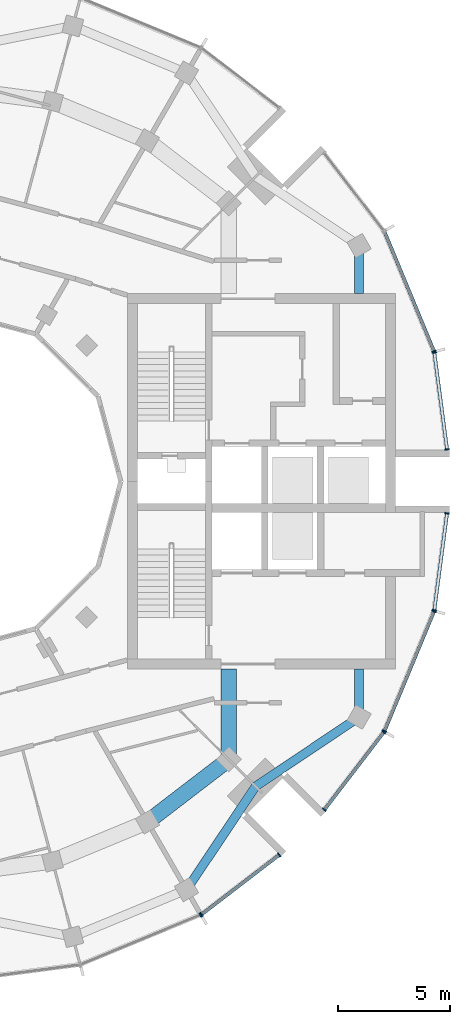
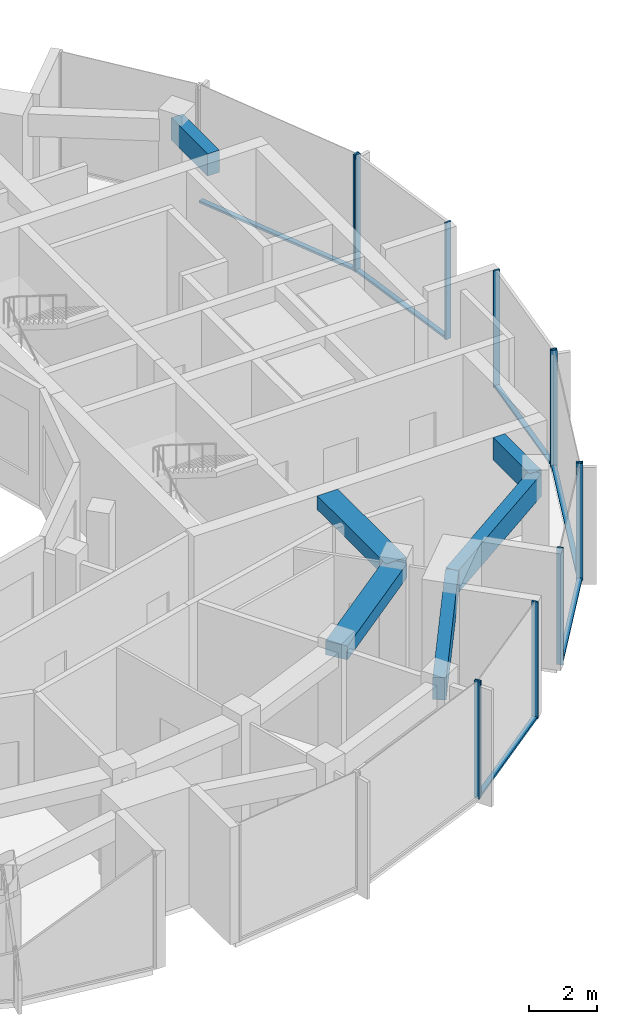
# One storey, part 4 of 14: 18 members, 6 beams, 7 elements without a shape of their own.
"""IFC4 building model written with IfcOpenShell, lengths in metres."""

import ifcopenshell
import ifcopenshell.guid

model = None  # the IFC model being written
_history = None  # IfcOwnerHistory: only IFC2X3 demands one
_inside = {}  # id of a spatial element -> (the spatial element, [elements in it])
_under = {}  # id of a project, library or spatial element -> (it, [spatial elements below it])
_declared = {}  # id of a project -> (the project, [libraries it declares])
_typed = {}  # id of a type object -> (the type object, [elements of that type])
_made_of = {}  # id of a material, layer set ... -> (it, [elements and type objects made of it])


def new_model(schema):
    """Start an empty IFC model of exactly this schema.

    Asked for "IFC4X3", IfcOpenShell would pick the latest addendum, in which some entities
    have other attributes; the version numbers below select the first issue.
    IFC2X3 requires an IfcOwnerHistory on every rooted entity: one is made here for all.
    """
    global model, _history
    if schema == "IFC4X3":
        model = ifcopenshell.file(schema_version=(4, 3, 0, 0))
    else:
        model = ifcopenshell.file(schema=schema)
    _inside.clear()
    _under.clear()
    _declared.clear()
    _typed.clear()
    _made_of.clear()
    _history = None
    if model.schema == "IFC2X3":
        org = make("IfcOrganization", Name="unknown")
        user = make(
            "IfcPersonAndOrganization",
            ThePerson=make("IfcPerson", FamilyName="unknown"),
            TheOrganization=org,
        )
        app = make(
            "IfcApplication",
            ApplicationDeveloper=org,
            Version="unknown",
            ApplicationFullName="unknown",
            ApplicationIdentifier="unknown",
        )
        _history = make(
            "IfcOwnerHistory",
            OwningUser=user,
            OwningApplication=app,
            ChangeAction="ADDED",
            CreationDate=0,
        )
    return model


def make(cls, **values):
    """One entity of the class cls with the attributes given. An attribute that is None is left unset."""
    return model.create_entity(
        cls, **{name: value for name, value in values.items() if value is not None}
    )


def rooted(cls, **values):
    """An entity with a GlobalId (a new one), such as an element, a storey or a relation."""
    return make(cls, GlobalId=ifcopenshell.guid.new(), OwnerHistory=_history, **values)


def si_unit(unit_type, name, prefix=None):
    """IfcSIUnit, for example si_unit("LENGTHUNIT", "METRE", prefix="MILLI")."""
    return make("IfcSIUnit", UnitType=unit_type, Prefix=prefix, Name=name)


def assignment(units):
    """IfcUnitAssignment: the units of a project."""
    return None if units is None else make("IfcUnitAssignment", Units=units)


def point(xyz):
    """IfcCartesianPoint."""
    return None if xyz is None else make("IfcCartesianPoint", Coordinates=xyz)


def direction(xyz):
    """IfcDirection."""
    return None if xyz is None else make("IfcDirection", DirectionRatios=xyz)


def frame(location, z_axis=None, x_axis=None):
    """IfcAxis2Placement3D, a coordinate frame: its origin and axes. An axis left out is left unset."""
    return make(
        "IfcAxis2Placement3D",
        Location=point(location),
        Axis=direction(z_axis),
        RefDirection=direction(x_axis),
    )


def frame_2d(location, x_axis=None):
    """IfcAxis2Placement2D, a coordinate frame in the plane: its origin and x axis."""
    return make(
        "IfcAxis2Placement2D", Location=point(location), RefDirection=direction(x_axis)
    )


def origin():
    """The frame at (0, 0, 0) with its axes left unset."""
    return frame((0.0, 0.0, 0.0))


def origin_2d():
    """The frame at (0, 0) in the plane with its x axis left unset."""
    return frame_2d((0.0, 0.0))


def place(relative_to, where):
    """IfcLocalPlacement: puts the frame where relative to a parent placement (None: the world)."""
    return make(
        "IfcLocalPlacement", PlacementRelTo=relative_to, RelativePlacement=where
    )


def context(
    kind, dimensions, precision=None, world=None, true_north=None, identifier=None
):
    """IfcGeometricRepresentationContext, for example the 3D "Model" context."""
    return make(
        "IfcGeometricRepresentationContext",
        ContextIdentifier=identifier,
        ContextType=kind,
        CoordinateSpaceDimension=dimensions,
        Precision=precision,
        WorldCoordinateSystem=world,
        TrueNorth=true_north,
    )


def subcontext(parent, identifier, kind, view, scale=None):
    """IfcGeometricRepresentationSubContext, for example "Body" below "Model"."""
    return make(
        "IfcGeometricRepresentationSubContext",
        ContextIdentifier=identifier,
        ContextType=kind,
        ParentContext=parent,
        TargetScale=scale,
        TargetView=view,
    )


def project(units=None, contexts=None):
    """IfcProject with its units and contexts."""
    return rooted(
        "IfcProject",
        Name="project",
        RepresentationContexts=contexts,
        UnitsInContext=assignment(units),
    )


def spatial(cls, under=None, at=None, **own):
    """A site, building, storey or space (cls), placed at a placement, below another one or the project."""
    s = rooted(cls, ObjectPlacement=at, **own)
    if under is not None:
        _under.setdefault(under.id(), (under, []))[1].append(s)
    return s


def profile(cls, at=None, kind="AREA", **sizes):
    """A parametric profile (cls). Its sizes go by their IFC names, for example OverallWidth=200.0."""
    return make(cls, ProfileType=kind, Position=at, **sizes)


def rectangle(**sizes):
    """IfcRectangleProfileDef."""
    return profile("IfcRectangleProfileDef", **sizes)


def extrude(swept, where, along, depth):
    """IfcExtrudedAreaSolid: the profile swept, set in the frame where, extruded along a direction by depth."""
    return make(
        "IfcExtrudedAreaSolid",
        SweptArea=swept,
        Position=where,
        ExtrudedDirection=direction(along),
        Depth=depth,
    )


def shape(context_of_items, identifier, shape_type, items):
    """IfcShapeRepresentation: the items that make up one representation, for example the "Body"."""
    return make(
        "IfcShapeRepresentation",
        ContextOfItems=context_of_items,
        RepresentationIdentifier=identifier,
        RepresentationType=shape_type,
        Items=items,
    )


def material(Name=None, Category=None):
    """IfcMaterial."""
    return make("IfcMaterial", Name=Name, Category=Category)


def layer(
    of_material, thickness, ventilated=None, Name=None, Category=None, Priority=None
):
    """IfcMaterialLayer: one layer of a wall or slab, of a material (None: an air gap)."""
    return make(
        "IfcMaterialLayer",
        Material=of_material,
        LayerThickness=thickness,
        IsVentilated=ventilated,
        Name=Name,
        Category=Category,
        Priority=Priority,
    )


def layer_set(layers, Name=None):
    """IfcMaterialLayerSet."""
    return make("IfcMaterialLayerSet", MaterialLayers=layers, LayerSetName=Name)


def material_profile(
    of_material, cross_section, Name=None, Category=None, Priority=None
):
    """IfcMaterialProfile: a cross section and its material."""
    return make(
        "IfcMaterialProfile",
        Name=Name,
        Material=of_material,
        Profile=cross_section,
        Priority=Priority,
        Category=Category,
    )


def profile_set(profiles, Name=None, composite=None):
    """IfcMaterialProfileSet."""
    return make(
        "IfcMaterialProfileSet",
        Name=Name,
        MaterialProfiles=profiles,
        CompositeProfile=composite,
    )


def made_of(thing, what):
    """Note that an element or type object is made of a material, layer set ...; save() writes the relation."""
    if what is not None:
        _made_of.setdefault(what.id(), (what, []))[1].append(thing)
    return thing


def type_object(cls, material=None, **own):
    """A type object (cls), such as IfcWallType, which elements share."""
    return made_of(rooted(cls, **own), material)


def element(
    cls,
    number,
    at=None,
    inside=None,
    cuts=None,
    type_object=None,
    material=None,
    context=None,
    identifier="Body",
    shape_type=None,
    held_by="IfcProductDefinitionShape",
    body=None,
    shapes=None,
    **own,
):
    """One element of the class cls, such as IfcWall. Its Tag is "e" and its number.

    at: its placement. inside: the storey or other place that contains it. cuts: it is an
    opening in that element (IfcRelVoidsElement). A single representation is given by context,
    identifier, shape_type and body (its items); several are given by shapes. held_by: the class
    of the entity that holds the representations. save() writes the other relations.
    """
    e = rooted(cls, Tag="e%d" % number, ObjectPlacement=at, **own)
    if body is not None:
        shapes = [shape(context, identifier, shape_type, body)]
    if shapes is not None:
        e.Representation = make(held_by, Representations=shapes)
    if inside is not None:
        _inside.setdefault(inside.id(), (inside, []))[1].append(e)
    if cuts is not None:
        rooted(
            "IfcRelVoidsElement", RelatingBuildingElement=cuts, RelatedOpeningElement=e
        )
    if type_object is not None:
        _typed.setdefault(type_object.id(), (type_object, []))[1].append(e)
    return made_of(e, material)


def aggregate(whole, parts):
    """IfcRelAggregates: a whole, such as a stair, and the parts it consists of."""
    return rooted("IfcRelAggregates", RelatingObject=whole, RelatedObjects=parts)


def save(model, path):
    """Write the relations noted so far, then the file.

    IfcRelAggregates (storeys below a building ...), IfcRelContainedInSpatialStructure (elements
    in a storey), IfcRelDefinesByType, IfcRelAssociatesMaterial and IfcRelDeclares: one each for
    every whole, place, type object, material and project.
    """
    for whole, parts in _under.values():
        aggregate(whole, parts)
    for where, things in _inside.values():
        rooted(
            "IfcRelContainedInSpatialStructure",
            RelatedElements=things,
            RelatingStructure=where,
        )
    for kind, things in _typed.values():
        rooted("IfcRelDefinesByType", RelatedObjects=things, RelatingType=kind)
    for what, things in _made_of.values():
        rooted("IfcRelAssociatesMaterial", RelatedObjects=things, RelatingMaterial=what)
    for by, libraries in _declared.values():
        rooted("IfcRelDeclares", RelatingContext=by, RelatedDefinitions=libraries)
    model.write(path)


model = new_model("IFC4")

# Units and contexts
model_context = context("Model", 3, precision=1e-05, world=origin(), true_north=direction((0.0, 1.0)))
body_context = subcontext(model_context, "Body", "Model", "MODEL_VIEW")
ifc_project = project(units=[si_unit("LENGTHUNIT", "METRE"), si_unit("AREAUNIT", "SQUARE_METRE"), si_unit("VOLUMEUNIT", "CUBIC_METRE"), si_unit("PLANEANGLEUNIT", "RADIAN"), si_unit("MASSUNIT", "GRAM", prefix="KILO")], contexts=[model_context])

# Site, building, storey
site_placement = place(None, origin())
site = spatial("IfcSite", under=ifc_project, at=site_placement, CompositionType="ELEMENT")
building_placement = place(site_placement, origin())
building = spatial("IfcBuilding", under=site, at=building_placement, Name="Torre Brocal", CompositionType="ELEMENT")
storey_placement = place(building_placement, frame((0.0, 0.0, 305.10009765625)))
storey = spatial("IfcBuildingStorey", under=building, at=storey_placement, Name="L70", CompositionType="ELEMENT", Elevation=305.10009765625)

# Curtain wall, member
ifc_material_1 = material(Name="Aluminium and glass", Category="aluminium")
ifc_layer_1 = layer(ifc_material_1, 0.199951171875)
ifc_layer_set_1 = layer_set([ifc_layer_1], Name="Aluminium and glass")
curtain_wall_type_1 = type_object("IfcCurtainWallType", Name="CW-1 CURTAIN WALL 4200 HIGH", PredefinedType="NOTDEFINED", material=ifc_layer_set_1)
curtain_wall_1_placement = place(storey_placement, origin())
curtain_wall_1 = element("IfcCurtainWall", 1, at=curtain_wall_1_placement, inside=storey, type_object=curtain_wall_type_1, Name="CW-1 RUN 2", PredefinedType="NOTDEFINED")
ifc_material_2 = material(Name="Aluminium, dark anodised", Category="aluminium")
ifc_material_profile_1 = material_profile(ifc_material_2, rectangle(XDim=0.199951171875, YDim=0.06005859375, at=origin_2d()), Name="CW-1 MULLION 60X200")
ifc_profile_set_1 = profile_set([ifc_material_profile_1], Name="Aluminium, dark anodised")
member_type_1 = type_object("IfcMemberType", Name="CW-1 MULLION 60X200", PredefinedType="MULLION", material=ifc_profile_set_1)
member_1_placement = place(storey_placement, frame((101.62451171875, 80.824951171875, 0.0), z_axis=(0.0, 0.0, 1.0), x_axis=(-0.923879532545, -0.382683432284, 0.0)))
member_1 = element("IfcMember", 2, at=member_1_placement, type_object=member_type_1, Name="CW1-5 mullion 1", PredefinedType="MULLION", context=body_context, shape_type="SweptSolid", body=[
    extrude(rectangle(XDim=0.199951171875, YDim=0.06005859375, at=origin_2d()), origin(), (0.0, 0.0, 1.0), 4.199951171875),
])

curtain_wall_2_placement = place(storey_placement, origin())
curtain_wall_2 = element("IfcCurtainWall", 3, at=curtain_wall_2_placement, inside=storey, type_object=curtain_wall_type_1, Name="CW-1 RUN 20", PredefinedType="NOTDEFINED")
member_2_placement = place(storey_placement, frame((91.171875, 55.59033203125, 0.0), z_axis=(0.0, 0.0, 1.0), x_axis=(-0.382683432284, 0.923879532545, 0.0)))
member_2 = element("IfcMember", 4, at=member_2_placement, type_object=member_type_1, Name="CW1-5 mullion 2", PredefinedType="MULLION", context=body_context, shape_type="SweptSolid", body=[
    extrude(rectangle(XDim=0.199951171875, YDim=0.06005859375, at=origin_2d()), origin(), (0.0, 0.0, 1.0), 4.199951171875),
])
aggregate(curtain_wall_2, [member_2])

# Curtain wall, members
curtain_wall_3_placement = place(storey_placement, origin())
curtain_wall_3 = element("IfcCurtainWall", 5, at=curtain_wall_3_placement, inside=storey, type_object=curtain_wall_type_1, Name="CW-1 RUN 21", PredefinedType="NOTDEFINED")
member_3_placement = place(storey_placement, frame((91.223388671875, 55.6201171875, 0.0), z_axis=(0.0, 0.0, 1.0), x_axis=(-0.608761429064, 0.793353340249, 0.0)))
member_3 = element("IfcMember", 6, at=member_3_placement, type_object=member_type_1, Name="CW1-5 mullion 1", PredefinedType="MULLION", context=body_context, shape_type="SweptSolid", body=[
    extrude(rectangle(XDim=0.199951171875, YDim=0.06005859375, at=origin_2d()), origin(), (0.0, 0.0, 1.0), 4.199951171875),
])
member_4_placement = place(storey_placement, frame((94.694580078125, 58.283447265625, 0.0), z_axis=(0.0, 0.0, 1.0), x_axis=(-0.608761429064, 0.793353340249, 0.0)))
member_4 = element("IfcMember", 7, at=member_4_placement, type_object=member_type_1, Name="CW1-5 mullion 2", PredefinedType="MULLION", context=body_context, shape_type="SweptSolid", body=[
    extrude(rectangle(XDim=0.199951171875, YDim=0.06005859375, at=origin_2d()), origin(), (0.0, 0.0, 1.0), 4.199951171875),
])

curtain_wall_4_placement = place(storey_placement, origin())
curtain_wall_4 = element("IfcCurtainWall", 8, at=curtain_wall_4_placement, inside=storey, type_object=curtain_wall_type_1, Name="CW-1 RUN 22", PredefinedType="NOTDEFINED")
member_5_placement = place(storey_placement, frame((96.716552734375, 60.305419921875, 0.0), z_axis=(0.0, 0.0, 1.0), x_axis=(-0.793353340249, 0.608761429064, 0.0)))
member_5 = element("IfcMember", 9, at=member_5_placement, type_object=member_type_1, Name="CW1-5 mullion 1", PredefinedType="MULLION", context=body_context, shape_type="SweptSolid", body=[
    extrude(rectangle(XDim=0.199951171875, YDim=0.06005859375, at=origin_2d()), origin(), (0.0, 0.0, 1.0), 4.199951171875),
])
member_6_placement = place(storey_placement, frame((99.3798828125, 63.776611328125, 0.0), z_axis=(0.0, 0.0, 1.0), x_axis=(-0.793353340249, 0.608761429064, 0.0)))
member_6 = element("IfcMember", 10, at=member_6_placement, type_object=member_type_1, Name="CW1-5 mullion 2", PredefinedType="MULLION", context=body_context, shape_type="SweptSolid", body=[
    extrude(rectangle(XDim=0.199951171875, YDim=0.06005859375, at=origin_2d()), origin(), (0.0, 0.0, 1.0), 4.199951171875),
])

curtain_wall_5_placement = place(storey_placement, origin())
curtain_wall_5 = element("IfcCurtainWall", 11, at=curtain_wall_5_placement, inside=storey, type_object=curtain_wall_type_1, Name="CW-1 RUN 23", PredefinedType="NOTDEFINED")
member_7_placement = place(storey_placement, frame((99.40966796875, 63.828125, 0.0), z_axis=(0.0, 0.0, 1.0), x_axis=(-0.923879532545, 0.382683432284, 0.0)))
member_7 = element("IfcMember", 12, at=member_7_placement, type_object=member_type_1, Name="CW1-5 mullion 1", PredefinedType="MULLION", context=body_context, shape_type="SweptSolid", body=[
    extrude(rectangle(XDim=0.199951171875, YDim=0.06005859375, at=origin_2d()), origin(), (0.0, 0.0, 1.0), 4.199951171875),
])
member_8_placement = place(storey_placement, frame((101.62451171875, 69.175048828125, 0.0), z_axis=(0.0, 0.0, 1.0), x_axis=(-0.923879532545, 0.382683432284, 0.0)))
member_8 = element("IfcMember", 13, at=member_8_placement, type_object=member_type_1, Name="CW1-5 mullion 2", PredefinedType="MULLION", context=body_context, shape_type="SweptSolid", body=[
    extrude(rectangle(XDim=0.199951171875, YDim=0.06005859375, at=origin_2d()), origin(), (0.0, 0.0, 1.0), 4.199951171875),
])

# Member
ifc_material_3 = material(Name="Aluminium, dark anodised", Category="aluminium")
ifc_material_profile_2 = material_profile(ifc_material_3, rectangle(XDim=0.159912109375, YDim=0.080078125, at=origin_2d()), Name="CW-1 TRANSOM 160X80")
ifc_profile_set_2 = profile_set([ifc_material_profile_2], Name="Aluminium, dark anodised")
member_type_2 = type_object("IfcMemberType", Name="CW-1 TRANSOM 160X80", PredefinedType="USERDEFINED", material=ifc_profile_set_2)
member_9_placement = place(storey_placement, frame((101.613037109375, 80.852783203125, 0.039794921875), z_axis=(-0.382710701355, 0.923868236854, 0.0), x_axis=(-0.923868236854, -0.382710701355, 0.0)))
member_9 = element("IfcMember", 14, at=member_9_placement, type_object=member_type_2, Name="CW1-5 transom 1.1", ObjectType="TRANSOM", PredefinedType="USERDEFINED", context=body_context, shape_type="SweptSolid", body=[
    extrude(rectangle(XDim=0.159912109375, YDim=0.080078125, at=origin_2d()), origin(), (0.0, 0.0, 1.0), 5.727294921875),
])

aggregate(curtain_wall_1, [member_1, member_9])

member_10_placement = place(storey_placement, frame((91.2470703125, 55.63818359375, 0.039794921875), z_axis=(0.793332201462, 0.608788976677, 0.0), x_axis=(-0.608788976677, 0.793332201462, 0.0)))
member_10 = element("IfcMember", 15, at=member_10_placement, type_object=member_type_2, Name="CW1-5 transom 1.1", ObjectType="TRANSOM", PredefinedType="USERDEFINED", context=body_context, shape_type="SweptSolid", body=[
    extrude(rectangle(XDim=0.159912109375, YDim=0.080078125, at=origin_2d()), origin(), (0.0, 0.0, 1.0), 4.3154296875),
])

aggregate(curtain_wall_3, [member_3, member_4, member_10])

member_11_placement = place(storey_placement, frame((96.734619140625, 60.329345703125, 0.039794921875), z_axis=(0.608788976677, 0.793332201462, 0.0), x_axis=(-0.793332201462, 0.608788976677, 0.0)))
member_11 = element("IfcMember", 16, at=member_11_placement, type_object=member_type_2, Name="CW1-5 transom 1.1", ObjectType="TRANSOM", PredefinedType="USERDEFINED", context=body_context, shape_type="SweptSolid", body=[
    extrude(rectangle(XDim=0.159912109375, YDim=0.080078125, at=origin_2d()), origin(), (0.0, 0.0, 1.0), 4.3154296875),
])

aggregate(curtain_wall_4, [member_5, member_6, member_11])

member_12_placement = place(storey_placement, frame((99.421142578125, 63.85595703125, 0.039794921875), z_axis=(0.382710701355, 0.923868236854, 0.0), x_axis=(-0.923868236854, 0.382710701355, 0.0)))
member_12 = element("IfcMember", 17, at=member_12_placement, type_object=member_type_2, Name="CW1-5 transom 1.1", ObjectType="TRANSOM", PredefinedType="USERDEFINED", context=body_context, shape_type="SweptSolid", body=[
    extrude(rectangle(XDim=0.159912109375, YDim=0.080078125, at=origin_2d()), origin(), (0.0, 0.0, 1.0), 5.727294921875),
])

aggregate(curtain_wall_5, [member_7, member_8, member_12])

# Curtain wall, members
ifc_material_4 = material(Name="Aluminium and glass", Category="aluminium")
ifc_layer_2 = layer(ifc_material_4, 0.199951171875)
ifc_layer_set_2 = layer_set([ifc_layer_2], Name="Aluminium and glass")
curtain_wall_type_2 = type_object("IfcCurtainWallType", Name="CW-1B CURTAIN WALL 4200 HIGH", PredefinedType="NOTDEFINED", material=ifc_layer_set_2)
curtain_wall_6_placement = place(storey_placement, origin())
curtain_wall_6 = element("IfcCurtainWall", 18, at=curtain_wall_6_placement, inside=storey, type_object=curtain_wall_type_2, Name="CW-1B RUN 1", PredefinedType="NOTDEFINED")
ifc_material_5 = material(Name="Aluminium, dark anodised", Category="aluminium")
ifc_material_profile_3 = material_profile(ifc_material_5, rectangle(XDim=0.199951171875, YDim=0.06005859375, at=origin_2d()), Name="CW-1B MULLION 60X200")
ifc_profile_set_3 = profile_set([ifc_material_profile_3], Name="Aluminium, dark anodised")
member_type_3 = type_object("IfcMemberType", Name="CW-1B MULLION 60X200", PredefinedType="MULLION", material=ifc_profile_set_3)
member_13_placement = place(storey_placement, frame((102.2109375, 76.4296875, 0.0), z_axis=(0.0, 0.0, 1.0), x_axis=(-0.991444861374, -0.13052619222, 0.0)))
member_13 = element("IfcMember", 19, at=member_13_placement, type_object=member_type_3, Name="CW1B-5 mullion 1", PredefinedType="MULLION", context=body_context, shape_type="SweptSolid", body=[
    extrude(rectangle(XDim=0.199951171875, YDim=0.06005859375, at=origin_2d()), origin(), (0.0, 0.0, 1.0), 4.199951171875),
])
member_14_placement = place(storey_placement, frame((101.639892578125, 80.767578125, 0.0), z_axis=(0.0, 0.0, 1.0), x_axis=(-0.991444861374, -0.13052619222, 0.0)))
member_14 = element("IfcMember", 20, at=member_14_placement, type_object=member_type_3, Name="CW1B-5 mullion 2", PredefinedType="MULLION", context=body_context, shape_type="SweptSolid", body=[
    extrude(rectangle(XDim=0.199951171875, YDim=0.06005859375, at=origin_2d()), origin(), (0.0, 0.0, 1.0), 4.199951171875),
])

curtain_wall_7_placement = place(storey_placement, origin())
curtain_wall_7 = element("IfcCurtainWall", 21, at=curtain_wall_7_placement, inside=storey, type_object=curtain_wall_type_2, Name="CW-1B RUN 24", PredefinedType="NOTDEFINED")
member_15_placement = place(storey_placement, frame((101.639892578125, 69.232421875, 0.0), z_axis=(0.0, 0.0, 1.0), x_axis=(-0.991444861374, 0.13052619222, 0.0)))
member_15 = element("IfcMember", 22, at=member_15_placement, type_object=member_type_3, Name="CW1B-5 mullion 1", PredefinedType="MULLION", context=body_context, shape_type="SweptSolid", body=[
    extrude(rectangle(XDim=0.199951171875, YDim=0.06005859375, at=origin_2d()), origin(), (0.0, 0.0, 1.0), 4.199951171875),
])
member_16_placement = place(storey_placement, frame((102.2109375, 73.5703125, 0.0), z_axis=(0.0, 0.0, 1.0), x_axis=(-0.991444861374, 0.13052619222, 0.0)))
member_16 = element("IfcMember", 23, at=member_16_placement, type_object=member_type_3, Name="CW1B-5 mullion 2", PredefinedType="MULLION", context=body_context, shape_type="SweptSolid", body=[
    extrude(rectangle(XDim=0.199951171875, YDim=0.06005859375, at=origin_2d()), origin(), (0.0, 0.0, 1.0), 4.199951171875),
])

# Member
ifc_material_6 = material(Name="Aluminium, dark anodised", Category="aluminium")
ifc_material_profile_4 = material_profile(ifc_material_6, rectangle(XDim=0.159912109375, YDim=0.080078125, at=origin_2d()), Name="CW-1B TRANSOM 160X80")
ifc_profile_set_4 = profile_set([ifc_material_profile_4], Name="Aluminium, dark anodised")
member_type_4 = type_object("IfcMemberType", Name="CW-1B TRANSOM 160X80", PredefinedType="USERDEFINED", material=ifc_profile_set_4)
member_17_placement = place(storey_placement, frame((102.20703125, 76.45947265625, 0.039794921875), z_axis=(-0.130521833991, 0.991445435136, 0.0), x_axis=(-0.991445435136, -0.130521833991, 0.0)))
member_17 = element("IfcMember", 24, at=member_17_placement, type_object=member_type_4, Name="CW1B-5 transom 1.1", ObjectType="TRANSOM", PredefinedType="USERDEFINED", context=body_context, shape_type="SweptSolid", body=[
    extrude(rectangle(XDim=0.159912109375, YDim=0.080078125, at=origin_2d()), origin(), (0.0, 0.0, 1.0), 4.315185546875),
])

aggregate(curtain_wall_6, [member_13, member_14, member_17])

member_18_placement = place(storey_placement, frame((101.643798828125, 69.26220703125, 0.039794921875), z_axis=(0.130521833991, 0.991445435136, 0.0), x_axis=(-0.991445435136, 0.130521833991, 0.0)))
member_18 = element("IfcMember", 25, at=member_18_placement, type_object=member_type_4, Name="CW1B-5 transom 1.1", ObjectType="TRANSOM", PredefinedType="USERDEFINED", context=body_context, shape_type="SweptSolid", body=[
    extrude(rectangle(XDim=0.159912109375, YDim=0.080078125, at=origin_2d()), origin(), (0.0, 0.0, 1.0), 4.315185546875),
])

aggregate(curtain_wall_7, [member_15, member_16, member_18])

# Beams
ifc_material_7 = material(Name="Concrete C50", Category="concrete")
ifc_material_profile_5 = material_profile(ifc_material_7, rectangle(XDim=0.699951171875, YDim=0.5, at=origin_2d()), Name="RC 700X500")
ifc_profile_set_5 = profile_set([ifc_material_profile_5], Name="Concrete C50")
beam_type_1 = type_object("IfcBeamType", Name="RC BEAM 700X500 C50 TOP 3850", PredefinedType="BEAM", material=ifc_profile_set_5)
beam_1_placement = place(storey_placement, frame((88.800048828125, 59.758056640625, 3.599853515625), z_axis=(0.793358265959, 0.6087550097, 0.0), x_axis=(-0.6087550097, 0.793358265959, 0.0)))
element("IfcBeam", 26, at=beam_1_placement, inside=storey, type_object=beam_type_1, Name="Beam BT-48", PredefinedType="BEAM", context=body_context, shape_type="SweptSolid", body=[
    extrude(rectangle(XDim=0.699951171875, YDim=0.5, at=origin_2d()), origin(), (0.0, 0.0, 1.0), 4.594482421875),
])
beam_2_placement = place(storey_placement, frame((92.445068359375, 62.554931640625, 3.599853515625), z_axis=(0.0, 1.0, 0.0), x_axis=(-1.0, 0.0, 0.0)))
element("IfcBeam", 27, at=beam_2_placement, inside=storey, type_object=beam_type_1, Name="Beam BT-48", PredefinedType="BEAM", context=body_context, shape_type="SweptSolid", body=[
    extrude(rectangle(XDim=0.699951171875, YDim=0.5, at=origin_2d()), origin(), (0.0, 0.0, 1.0), 4.045166015625),
])
ifc_material_8 = material(Name="Concrete C50", Category="concrete")
ifc_material_profile_6 = material_profile(ifc_material_8, rectangle(XDim=0.39990234375, YDim=0.800048828125, at=origin_2d()), Name="RC 400X800")
ifc_profile_set_6 = profile_set([ifc_material_profile_6], Name="Concrete C50")
beam_type_2 = type_object("IfcBeamType", Name="RC SPANDREL BEAM 400X800 C50 TOP 3850", PredefinedType="SPANDREL", material=ifc_profile_set_6)
for number, where, z_axis, x_axis, name in (
    (28, (90.550048828125, 56.726806640625, 3.449951171875), (0.556338604247, 0.830955689206, 0.0), (-0.830955689206, 0.556338604247, 0.0), "Beam BT-49"),
    (29, (93.647216796875, 61.352783203125, 3.449951171875), (0.830955689206, 0.556338604247, 0.0), (-0.556338604247, 0.830955689206, 0.0), "Beam BT-49"),
):
    element("IfcBeam", number, at=place(storey_placement, frame(where, z_axis=z_axis, x_axis=x_axis)), inside=storey, type_object=beam_type_2, Name=name, PredefinedType="SPANDREL", context=body_context, shape_type="SweptSolid", body=[
        extrude(rectangle(XDim=0.39990234375, YDim=0.800048828125, at=origin_2d()), origin(), (0.0, 0.0, 1.0), 5.567138671875),
    ])
for number, where, z_axis, x_axis, name in (
    (30, (98.273193359375, 64.449951171875, 3.449951171875), (0.0, 1.0, 0.0), (-1.0, 0.0, 0.0), "Beam BT-49"),
    (31, (98.273193359375, 85.550048828125, 3.449951171875), (0.0, -1.0, 0.0), (1.0, 0.0, 0.0), "Beam BT-49"),
):
    element("IfcBeam", number, at=place(storey_placement, frame(where, z_axis=z_axis, x_axis=x_axis)), inside=storey, type_object=beam_type_2, Name=name, PredefinedType="SPANDREL", context=body_context, shape_type="SweptSolid", body=[
        extrude(rectangle(XDim=0.39990234375, YDim=0.800048828125, at=origin_2d()), origin(), (0.0, 0.0, 1.0), 2.150146484375),
    ])

save(model, "model.ifc")
